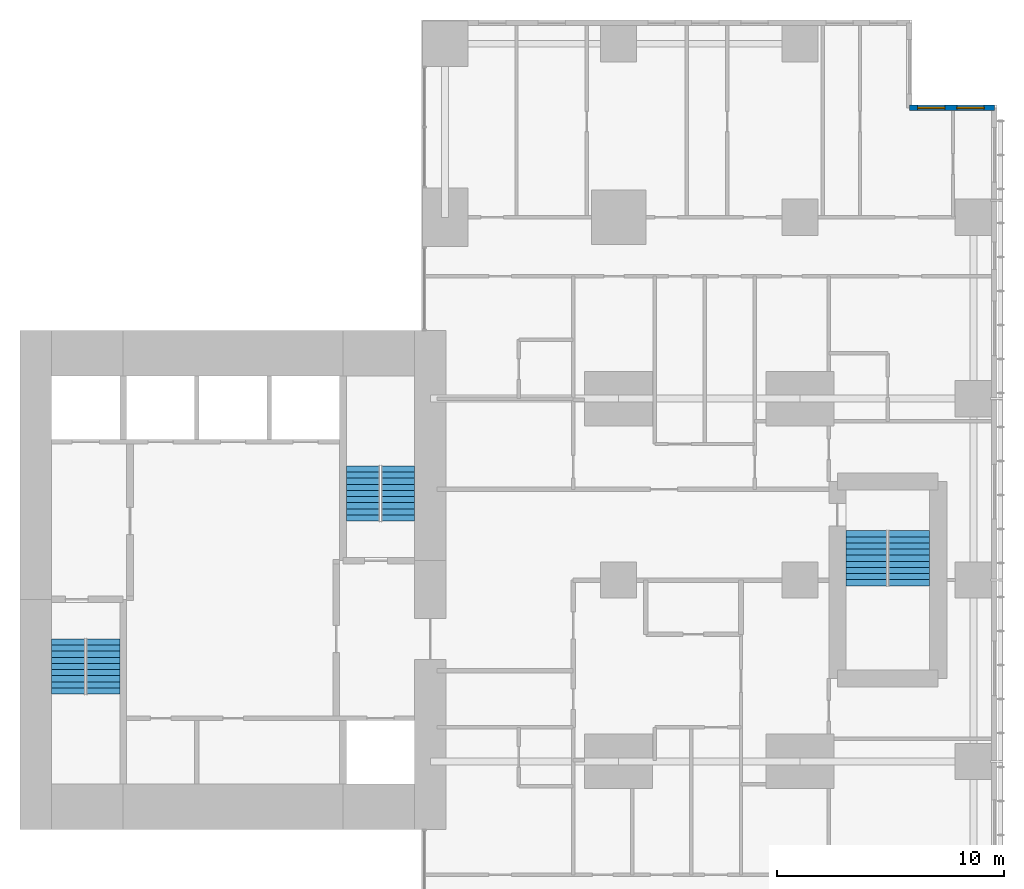
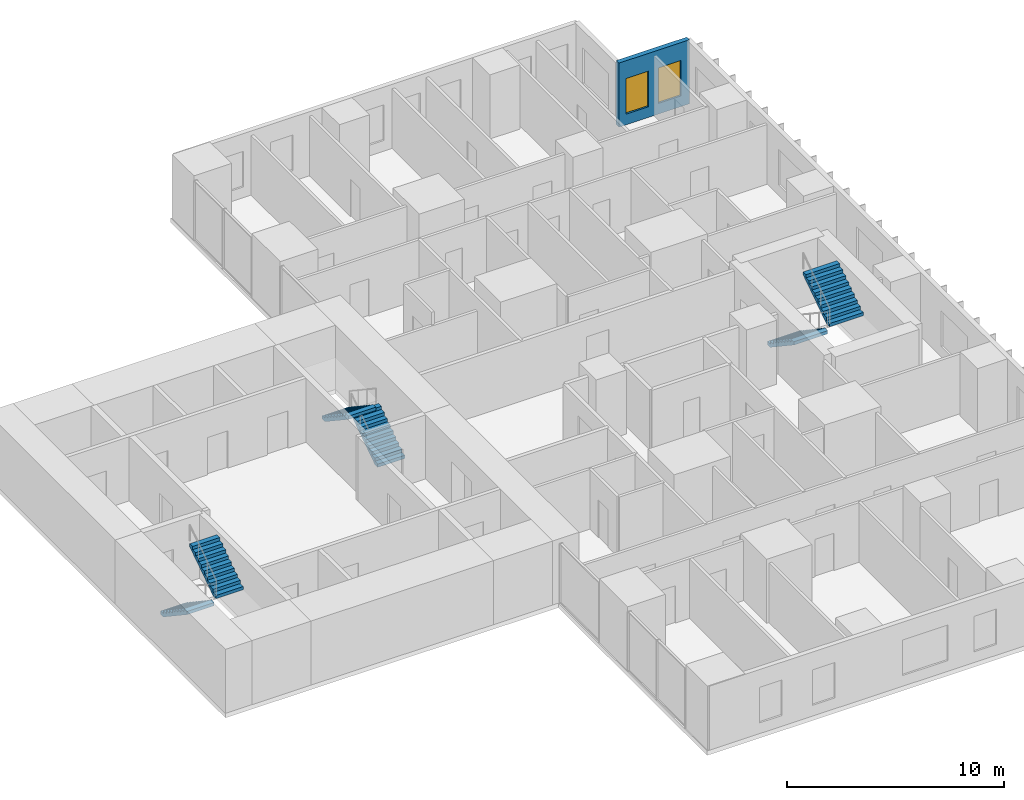
# One storey, part 11 of 12: 6 stair flights, 2 windows, 1 wall, 2 openings, 3 elements without a shape of their own.
"""IFC4 building model written with IfcOpenShell, lengths in metres."""

import ifcopenshell
import ifcopenshell.guid

model = None  # the IFC model being written
_history = None  # IfcOwnerHistory: only IFC2X3 demands one
_inside = {}  # id of a spatial element -> (the spatial element, [elements in it])
_under = {}  # id of a project, library or spatial element -> (it, [spatial elements below it])
_declared = {}  # id of a project -> (the project, [libraries it declares])
_typed = {}  # id of a type object -> (the type object, [elements of that type])
_made_of = {}  # id of a material, layer set ... -> (it, [elements and type objects made of it])


def new_model(schema):
    """Start an empty IFC model of exactly this schema.

    Asked for "IFC4X3", IfcOpenShell would pick the latest addendum, in which some entities
    have other attributes; the version numbers below select the first issue.
    IFC2X3 requires an IfcOwnerHistory on every rooted entity: one is made here for all.
    """
    global model, _history
    if schema == "IFC4X3":
        model = ifcopenshell.file(schema_version=(4, 3, 0, 0))
    else:
        model = ifcopenshell.file(schema=schema)
    _inside.clear()
    _under.clear()
    _declared.clear()
    _typed.clear()
    _made_of.clear()
    _history = None
    if model.schema == "IFC2X3":
        org = make("IfcOrganization", Name="unknown")
        user = make(
            "IfcPersonAndOrganization",
            ThePerson=make("IfcPerson", FamilyName="unknown"),
            TheOrganization=org,
        )
        app = make(
            "IfcApplication",
            ApplicationDeveloper=org,
            Version="unknown",
            ApplicationFullName="unknown",
            ApplicationIdentifier="unknown",
        )
        _history = make(
            "IfcOwnerHistory",
            OwningUser=user,
            OwningApplication=app,
            ChangeAction="ADDED",
            CreationDate=0,
        )
    return model


def make(cls, **values):
    """One entity of the class cls with the attributes given. An attribute that is None is left unset."""
    return model.create_entity(
        cls, **{name: value for name, value in values.items() if value is not None}
    )


def rooted(cls, **values):
    """An entity with a GlobalId (a new one), such as an element, a storey or a relation."""
    return make(cls, GlobalId=ifcopenshell.guid.new(), OwnerHistory=_history, **values)


def si_unit(unit_type, name, prefix=None):
    """IfcSIUnit, for example si_unit("LENGTHUNIT", "METRE", prefix="MILLI")."""
    return make("IfcSIUnit", UnitType=unit_type, Prefix=prefix, Name=name)


def assignment(units):
    """IfcUnitAssignment: the units of a project."""
    return None if units is None else make("IfcUnitAssignment", Units=units)


def point(xyz):
    """IfcCartesianPoint."""
    return None if xyz is None else make("IfcCartesianPoint", Coordinates=xyz)


def direction(xyz):
    """IfcDirection."""
    return None if xyz is None else make("IfcDirection", DirectionRatios=xyz)


def frame(location, z_axis=None, x_axis=None):
    """IfcAxis2Placement3D, a coordinate frame: its origin and axes. An axis left out is left unset."""
    return make(
        "IfcAxis2Placement3D",
        Location=point(location),
        Axis=direction(z_axis),
        RefDirection=direction(x_axis),
    )


def frame_2d(location, x_axis=None):
    """IfcAxis2Placement2D, a coordinate frame in the plane: its origin and x axis."""
    return make(
        "IfcAxis2Placement2D", Location=point(location), RefDirection=direction(x_axis)
    )


def origin():
    """The frame at (0, 0, 0) with its axes left unset."""
    return frame((0.0, 0.0, 0.0))


def place(relative_to, where):
    """IfcLocalPlacement: puts the frame where relative to a parent placement (None: the world)."""
    return make(
        "IfcLocalPlacement", PlacementRelTo=relative_to, RelativePlacement=where
    )


def context(
    kind, dimensions, precision=None, world=None, true_north=None, identifier=None
):
    """IfcGeometricRepresentationContext, for example the 3D "Model" context."""
    return make(
        "IfcGeometricRepresentationContext",
        ContextIdentifier=identifier,
        ContextType=kind,
        CoordinateSpaceDimension=dimensions,
        Precision=precision,
        WorldCoordinateSystem=world,
        TrueNorth=true_north,
    )


def subcontext(parent, identifier, kind, view, scale=None):
    """IfcGeometricRepresentationSubContext, for example "Body" below "Model"."""
    return make(
        "IfcGeometricRepresentationSubContext",
        ContextIdentifier=identifier,
        ContextType=kind,
        ParentContext=parent,
        TargetScale=scale,
        TargetView=view,
    )


def project(units=None, contexts=None):
    """IfcProject with its units and contexts."""
    return rooted(
        "IfcProject",
        Name="project",
        RepresentationContexts=contexts,
        UnitsInContext=assignment(units),
    )


def spatial(cls, under=None, at=None, **own):
    """A site, building, storey or space (cls), placed at a placement, below another one or the project."""
    s = rooted(cls, ObjectPlacement=at, **own)
    if under is not None:
        _under.setdefault(under.id(), (under, []))[1].append(s)
    return s


def polyline(points):
    """IfcPolyline through the points."""
    return make("IfcPolyline", Points=[point(p) for p in points])


def profile(cls, at=None, kind="AREA", **sizes):
    """A parametric profile (cls). Its sizes go by their IFC names, for example OverallWidth=200.0."""
    return make(cls, ProfileType=kind, Position=at, **sizes)


def rectangle(**sizes):
    """IfcRectangleProfileDef."""
    return profile("IfcRectangleProfileDef", **sizes)


def outline(outer, holes=None, kind="AREA"):
    """IfcArbitraryClosedProfileDef: a profile drawn as a closed curve; with holes, ...WithVoids."""
    if holes is None:
        return make("IfcArbitraryClosedProfileDef", ProfileType=kind, OuterCurve=outer)
    return make(
        "IfcArbitraryProfileDefWithVoids",
        ProfileType=kind,
        OuterCurve=outer,
        InnerCurves=holes,
    )


def extrude(swept, where, along, depth):
    """IfcExtrudedAreaSolid: the profile swept, set in the frame where, extruded along a direction by depth."""
    return make(
        "IfcExtrudedAreaSolid",
        SweptArea=swept,
        Position=where,
        ExtrudedDirection=direction(along),
        Depth=depth,
    )


def shape(context_of_items, identifier, shape_type, items):
    """IfcShapeRepresentation: the items that make up one representation, for example the "Body"."""
    return make(
        "IfcShapeRepresentation",
        ContextOfItems=context_of_items,
        RepresentationIdentifier=identifier,
        RepresentationType=shape_type,
        Items=items,
    )


def material(Name=None, Category=None):
    """IfcMaterial."""
    return make("IfcMaterial", Name=Name, Category=Category)


def layer(
    of_material, thickness, ventilated=None, Name=None, Category=None, Priority=None
):
    """IfcMaterialLayer: one layer of a wall or slab, of a material (None: an air gap)."""
    return make(
        "IfcMaterialLayer",
        Material=of_material,
        LayerThickness=thickness,
        IsVentilated=ventilated,
        Name=Name,
        Category=Category,
        Priority=Priority,
    )


def layer_set(layers, Name=None):
    """IfcMaterialLayerSet."""
    return make("IfcMaterialLayerSet", MaterialLayers=layers, LayerSetName=Name)


def made_of(thing, what):
    """Note that an element or type object is made of a material, layer set ...; save() writes the relation."""
    if what is not None:
        _made_of.setdefault(what.id(), (what, []))[1].append(thing)
    return thing


def type_object(cls, material=None, **own):
    """A type object (cls), such as IfcWallType, which elements share."""
    return made_of(rooted(cls, **own), material)


def element(
    cls,
    number,
    at=None,
    inside=None,
    cuts=None,
    type_object=None,
    material=None,
    context=None,
    identifier="Body",
    shape_type=None,
    held_by="IfcProductDefinitionShape",
    body=None,
    shapes=None,
    **own,
):
    """One element of the class cls, such as IfcWall. Its Tag is "e" and its number.

    at: its placement. inside: the storey or other place that contains it. cuts: it is an
    opening in that element (IfcRelVoidsElement). A single representation is given by context,
    identifier, shape_type and body (its items); several are given by shapes. held_by: the class
    of the entity that holds the representations. save() writes the other relations.
    """
    e = rooted(cls, Tag="e%d" % number, ObjectPlacement=at, **own)
    if body is not None:
        shapes = [shape(context, identifier, shape_type, body)]
    if shapes is not None:
        e.Representation = make(held_by, Representations=shapes)
    if inside is not None:
        _inside.setdefault(inside.id(), (inside, []))[1].append(e)
    if cuts is not None:
        rooted(
            "IfcRelVoidsElement", RelatingBuildingElement=cuts, RelatedOpeningElement=e
        )
    if type_object is not None:
        _typed.setdefault(type_object.id(), (type_object, []))[1].append(e)
    return made_of(e, material)


def fill(opening, filler):
    """IfcRelFillsElement: the door or window that sits in an opening."""
    return rooted(
        "IfcRelFillsElement",
        RelatingOpeningElement=opening,
        RelatedBuildingElement=filler,
    )


def aggregate(whole, parts):
    """IfcRelAggregates: a whole, such as a stair, and the parts it consists of."""
    return rooted("IfcRelAggregates", RelatingObject=whole, RelatedObjects=parts)


def save(model, path):
    """Write the relations noted so far, then the file.

    IfcRelAggregates (storeys below a building ...), IfcRelContainedInSpatialStructure (elements
    in a storey), IfcRelDefinesByType, IfcRelAssociatesMaterial and IfcRelDeclares: one each for
    every whole, place, type object, material and project.
    """
    for whole, parts in _under.values():
        aggregate(whole, parts)
    for where, things in _inside.values():
        rooted(
            "IfcRelContainedInSpatialStructure",
            RelatedElements=things,
            RelatingStructure=where,
        )
    for kind, things in _typed.values():
        rooted("IfcRelDefinesByType", RelatedObjects=things, RelatingType=kind)
    for what, things in _made_of.values():
        rooted("IfcRelAssociatesMaterial", RelatedObjects=things, RelatingMaterial=what)
    for by, libraries in _declared.values():
        rooted("IfcRelDeclares", RelatingContext=by, RelatedDefinitions=libraries)
    model.write(path)


model = new_model("IFC4")

# Units and contexts
model_context = context("Model", 3, precision=1e-05, world=origin(), true_north=direction((0.0, 1.0)))
body_context = subcontext(model_context, "Body", "Model", "MODEL_VIEW")
ifc_project = project(units=[si_unit("LENGTHUNIT", "METRE"), si_unit("AREAUNIT", "SQUARE_METRE"), si_unit("VOLUMEUNIT", "CUBIC_METRE"), si_unit("PLANEANGLEUNIT", "RADIAN"), si_unit("MASSUNIT", "GRAM", prefix="KILO")], contexts=[model_context])

# Site, building, storey
site_placement = place(None, origin())
site = spatial("IfcSite", under=ifc_project, at=site_placement, CompositionType="ELEMENT")
building_placement = place(site_placement, origin())
building = spatial("IfcBuilding", under=site, at=building_placement, Name="Cleftline Residences", CompositionType="ELEMENT")
storey_placement = place(building_placement, frame((0.0, 0.0, 237.60009765625)))
storey = spatial("IfcBuildingStorey", under=building, at=storey_placement, Name="L62", CompositionType="ELEMENT", Elevation=237.60009765625)

# Wall, openings, windows
ifc_material_1 = material(Name="Rendered reinforced concrete blockwork", Category="masonry")
ifc_layer = layer(ifc_material_1, 0.25)
ifc_layer_set = layer_set([ifc_layer], Name="EXTERNAL WALL 250")
wall_type = type_object("IfcWallType", Name="EXTERNAL WALL 250", PredefinedType="SOLIDWALL", material=ifc_layer_set)
wall_placement = place(storey_placement, frame((66.574951171875, 44.824951171875, 0.0), z_axis=(0.0, 0.0, 1.0), x_axis=(-1.0, 0.0, 0.0)))
wall = element("IfcWall", 1, at=wall_placement, inside=storey, type_object=wall_type, Name="External wall", PredefinedType="SOLIDWALL", context=body_context, shape_type="SweptSolid", body=[
    extrude(rectangle(XDim=3.75, YDim=0.25, at=frame_2d((1.875, 0.0))), origin(), (0.0, 0.0, 1.0), 3.599853515625),
])
opening_1_placement = place(wall_placement, frame((0.449951171875, 0.0, 0.60009765625)))
opening_1 = element("IfcOpeningElement", 2, at=opening_1_placement, cuts=wall, Name="Opening W8", PredefinedType="OPENING", context=body_context, shape_type="SweptSolid", body=[
    extrude(rectangle(XDim=1.199951171875, YDim=2.0, at=frame_2d((0.60009765625, 1.0))), frame((0.0, 0.135009765625, 0.0), z_axis=(0.0, -1.0, 0.0), x_axis=(1.0, 0.0, 0.0)), (0.0, 0.0, 1.0), 0.27001953125),
])
opening_2_placement = place(wall_placement, frame((2.1875, 0.0, 0.60009765625)))
opening_2 = element("IfcOpeningElement", 3, at=opening_2_placement, cuts=wall, Name="Opening W8", PredefinedType="OPENING", context=body_context, shape_type="SweptSolid", body=[
    extrude(rectangle(XDim=1.199951171875, YDim=2.0, at=frame_2d((0.60009765625, 1.0))), frame((0.0, 0.135009765625, 0.0), z_axis=(0.0, -1.0, 0.0), x_axis=(1.0, 0.0, 0.0)), (0.0, 0.0, 1.0), 0.27001953125),
])
ifc_material_2 = material(Name="Aluminium frame, clear double glazing", Category="aluminium")
window_type = type_object("IfcWindowType", Name="WINDOW 1200X2000", PartitioningType="DOUBLE_PANEL_VERTICAL", PredefinedType="WINDOW", material=ifc_material_2)
window_1_placement = place(opening_1_placement, origin())
window_1 = element("IfcWindow", 4, at=window_1_placement, inside=storey, type_object=window_type, Name="Window", OverallHeight=2.0, OverallWidth=1.199951171875, PartitioningType="SINGLE_PANEL", PredefinedType="WINDOW", context=body_context, shape_type="SweptSolid", body=[
    extrude(rectangle(XDim=1.199951171875, YDim=2.0, at=frame_2d((0.60009765625, 1.0))), frame((0.0, 0.030029296875, 0.0), z_axis=(0.0, -1.0, 0.0), x_axis=(1.0, 0.0, 0.0)), (0.0, 0.0, 1.0), 0.06005859375),
])
fill(opening_1, window_1)
window_2_placement = place(opening_2_placement, origin())
window_2 = element("IfcWindow", 5, at=window_2_placement, inside=storey, type_object=window_type, Name="Window", OverallHeight=2.0, OverallWidth=1.199951171875, PartitioningType="SINGLE_PANEL", PredefinedType="WINDOW", context=body_context, shape_type="SweptSolid", body=[
    extrude(rectangle(XDim=1.199951171875, YDim=2.0, at=frame_2d((0.60009765625, 1.0))), frame((0.0, 0.030029296875, 0.0), z_axis=(0.0, -1.0, 0.0), x_axis=(1.0, 0.0, 0.0)), (0.0, 0.0, 1.0), 0.06005859375),
])
fill(opening_2, window_2)

# Stair, stair flights
ifc_material_3 = material(Name="Concrete B45, stone treads", Category="masonry")
stair_type_1 = type_object("IfcStairType", Name="STAIR A 1450 WIDE 180 RISER", PredefinedType="HALF_TURN_STAIR", material=ifc_material_3)
stair_1_placement = place(storey_placement, origin())
stair_1 = element("IfcStair", 6, at=stair_1_placement, inside=storey, type_object=stair_type_1, Name="Stair A L62", PredefinedType="HALF_TURN_STAIR")
ifc_material_4 = material(Name="Concrete B45", Category="concrete")
stair_flight_type_1 = type_object("IfcStairFlightType", Name="STAIR A FLIGHT 1450X180", PredefinedType="STRAIGHT", material=ifc_material_4)
stair_flight_1_placement = place(storey_placement, frame((25.72509765625, 21.39990234375, 0.0), z_axis=(0.0, 0.0, 1.0), x_axis=(0.0, -1.0, 0.0)))
stair_flight_1 = element("IfcStairFlight", 7, at=stair_flight_1_placement, type_object=stair_flight_type_1, Name="ST-A flight 1", NumberOfRisers=10, NumberOfTreads=9, PredefinedType="STRAIGHT", RiserHeight=0.18, TreadLength=0.27, context=body_context, shape_type="SweptSolid", body=[
    extrude(outline(polyline([(0.0, 0.0), (0.0, 0.013916015625), (0.0, 0.027587890625), (0.0, 0.04150390625), (0.0, 0.055419921875), (0.0, 0.0693359375), (0.0, 0.0830078125), (0.0, 0.096923828125), (0.0, 0.11083984375), (0.0, 0.12451171875), (0.0, 0.138427734375), (0.0, 0.15234375), (0.0, 0.166259765625), (0.0, 0.179931640625), (0.27001953125, 0.179931640625), (0.27001953125, 0.360107421875), (0.5400390625, 0.360107421875), (0.5400390625, 0.5400390625), (0.81005859375, 0.5400390625), (0.81005859375, 0.719970703125), (1.080078125, 0.719970703125), (1.080078125, 0.89990234375), (1.35009765625, 0.89990234375), (1.35009765625, 1.080078125), (1.6201171875, 1.080078125), (1.6201171875, 1.260009765625), (1.889892578125, 1.260009765625), (1.889892578125, 1.43994140625), (2.159912109375, 1.43994140625), (2.159912109375, 1.6201171875), (2.429931640625, 1.6201171875), (2.429931640625, 1.800048828125), (2.429931640625, 1.772216796875), (2.429931640625, 1.74462890625), (2.429931640625, 1.716796875), (2.429931640625, 1.689208984375), (2.429931640625, 1.661376953125), (2.429931640625, 1.6337890625), (2.429931640625, 1.60595703125), (2.429931640625, 1.578369140625), (2.429931640625, 1.550537109375), (2.429931640625, 1.52294921875), (2.429931640625, 1.495361328125), (2.429931640625, 1.467529296875), (2.429931640625, 1.43994140625), (0.270263671875, 0.0), (0.0, 0.0)])), frame((0.0, 0.72509765625, 0.0), z_axis=(0.0, -1.0, 0.0), x_axis=(1.0, 0.0, 0.0)), (0.0, 0.0, 1.0), 1.449951171875),
])
stair_flight_2_placement = place(storey_placement, frame((27.27490234375, 18.969970703125, 1.7998046875), z_axis=(0.0, 0.0, 1.0), x_axis=(0.0, 1.0, 0.0)))
stair_flight_2 = element("IfcStairFlight", 8, at=stair_flight_2_placement, type_object=stair_flight_type_1, Name="ST-A flight 2", NumberOfRisers=10, NumberOfTreads=9, PredefinedType="STRAIGHT", RiserHeight=0.18, TreadLength=0.27, context=body_context, shape_type="SweptSolid", body=[
    extrude(outline(polyline([(0.0, 0.0), (0.0, 0.013916015625), (0.0, 0.027587890625), (0.0, 0.04150390625), (0.0, 0.055419921875), (0.0, 0.0693359375), (0.0, 0.0830078125), (0.0, 0.096923828125), (0.0, 0.11083984375), (0.0, 0.12451171875), (0.0, 0.138427734375), (0.0, 0.15234375), (0.0, 0.166259765625), (0.0, 0.179931640625), (0.27001953125, 0.179931640625), (0.27001953125, 0.360107421875), (0.5400390625, 0.360107421875), (0.5400390625, 0.5400390625), (0.81005859375, 0.5400390625), (0.81005859375, 0.719970703125), (1.080078125, 0.719970703125), (1.080078125, 0.89990234375), (1.35009765625, 0.89990234375), (1.35009765625, 1.080078125), (1.6201171875, 1.080078125), (1.6201171875, 1.260009765625), (1.889892578125, 1.260009765625), (1.889892578125, 1.43994140625), (2.159912109375, 1.43994140625), (2.159912109375, 1.6201171875), (2.429931640625, 1.6201171875), (2.429931640625, 1.800048828125), (2.429931640625, 1.772216796875), (2.429931640625, 1.74462890625), (2.429931640625, 1.716796875), (2.429931640625, 1.689208984375), (2.429931640625, 1.661376953125), (2.429931640625, 1.6337890625), (2.429931640625, 1.60595703125), (2.429931640625, 1.578369140625), (2.429931640625, 1.550537109375), (2.429931640625, 1.52294921875), (2.429931640625, 1.495361328125), (2.429931640625, 1.467529296875), (2.429931640625, 1.43994140625), (0.270263671875, 0.0), (0.0, 0.0)])), frame((0.0, 0.72509765625, 0.0), z_axis=(0.0, -1.0, 0.0), x_axis=(1.0, 0.0, 0.0)), (0.0, 0.0, 1.0), 1.449951171875),
])
aggregate(stair_1, [stair_flight_1, stair_flight_2])

ifc_material_5 = material(Name="Concrete B45, stone treads", Category="masonry")
stair_type_2 = type_object("IfcStairType", Name="STAIR B 1450 WIDE 180 RISER", PredefinedType="HALF_TURN_STAIR", material=ifc_material_5)
stair_2_placement = place(storey_placement, origin())
stair_2 = element("IfcStair", 9, at=stair_2_placement, inside=storey, type_object=stair_type_2, Name="Stair B L62", PredefinedType="HALF_TURN_STAIR")
ifc_material_6 = material(Name="Concrete B45", Category="concrete")
stair_flight_type_2 = type_object("IfcStairFlightType", Name="STAIR B FLIGHT 1450X180", PredefinedType="STRAIGHT", material=ifc_material_6)
stair_flight_3_placement = place(storey_placement, frame((40.27490234375, 26.60009765625, 0.0), z_axis=(0.0, 0.0, 1.0), x_axis=(0.0, 1.0, 0.0)))
stair_flight_3 = element("IfcStairFlight", 10, at=stair_flight_3_placement, type_object=stair_flight_type_2, Name="ST-B flight 1", NumberOfRisers=10, NumberOfTreads=9, PredefinedType="STRAIGHT", RiserHeight=0.18, TreadLength=0.27, context=body_context, shape_type="SweptSolid", body=[
    extrude(outline(polyline([(0.0, 0.0), (0.0, 0.013916015625), (0.0, 0.027587890625), (0.0, 0.04150390625), (0.0, 0.055419921875), (0.0, 0.0693359375), (0.0, 0.0830078125), (0.0, 0.096923828125), (0.0, 0.11083984375), (0.0, 0.12451171875), (0.0, 0.138427734375), (0.0, 0.15234375), (0.0, 0.166259765625), (0.0, 0.179931640625), (0.27001953125, 0.179931640625), (0.27001953125, 0.360107421875), (0.5400390625, 0.360107421875), (0.5400390625, 0.5400390625), (0.81005859375, 0.5400390625), (0.81005859375, 0.719970703125), (1.080078125, 0.719970703125), (1.080078125, 0.89990234375), (1.35009765625, 0.89990234375), (1.35009765625, 1.080078125), (1.6201171875, 1.080078125), (1.6201171875, 1.260009765625), (1.889892578125, 1.260009765625), (1.889892578125, 1.43994140625), (2.159912109375, 1.43994140625), (2.159912109375, 1.6201171875), (2.429931640625, 1.6201171875), (2.429931640625, 1.800048828125), (2.429931640625, 1.772216796875), (2.429931640625, 1.74462890625), (2.429931640625, 1.716796875), (2.429931640625, 1.689208984375), (2.429931640625, 1.661376953125), (2.429931640625, 1.6337890625), (2.429931640625, 1.60595703125), (2.429931640625, 1.578369140625), (2.429931640625, 1.550537109375), (2.429931640625, 1.52294921875), (2.429931640625, 1.495361328125), (2.429931640625, 1.467529296875), (2.429931640625, 1.43994140625), (0.270263671875, 0.0), (0.0, 0.0)])), frame((0.0, 0.72509765625, 0.0), z_axis=(0.0, -1.0, 0.0), x_axis=(1.0, 0.0, 0.0)), (0.0, 0.0, 1.0), 1.449951171875),
])
stair_flight_4_placement = place(storey_placement, frame((38.72509765625, 29.030029296875, 1.7998046875), z_axis=(0.0, 0.0, 1.0), x_axis=(0.0, -1.0, 0.0)))
stair_flight_4 = element("IfcStairFlight", 11, at=stair_flight_4_placement, type_object=stair_flight_type_2, Name="ST-B flight 2", NumberOfRisers=10, NumberOfTreads=9, PredefinedType="STRAIGHT", RiserHeight=0.18, TreadLength=0.27, context=body_context, shape_type="SweptSolid", body=[
    extrude(outline(polyline([(0.0, 0.0), (0.0, 0.013916015625), (0.0, 0.027587890625), (0.0, 0.04150390625), (0.0, 0.055419921875), (0.0, 0.0693359375), (0.0, 0.0830078125), (0.0, 0.096923828125), (0.0, 0.11083984375), (0.0, 0.12451171875), (0.0, 0.138427734375), (0.0, 0.15234375), (0.0, 0.166259765625), (0.0, 0.179931640625), (0.27001953125, 0.179931640625), (0.27001953125, 0.360107421875), (0.5400390625, 0.360107421875), (0.5400390625, 0.5400390625), (0.81005859375, 0.5400390625), (0.81005859375, 0.719970703125), (1.080078125, 0.719970703125), (1.080078125, 0.89990234375), (1.35009765625, 0.89990234375), (1.35009765625, 1.080078125), (1.6201171875, 1.080078125), (1.6201171875, 1.260009765625), (1.889892578125, 1.260009765625), (1.889892578125, 1.43994140625), (2.159912109375, 1.43994140625), (2.159912109375, 1.6201171875), (2.429931640625, 1.6201171875), (2.429931640625, 1.800048828125), (2.429931640625, 1.772216796875), (2.429931640625, 1.74462890625), (2.429931640625, 1.716796875), (2.429931640625, 1.689208984375), (2.429931640625, 1.661376953125), (2.429931640625, 1.6337890625), (2.429931640625, 1.60595703125), (2.429931640625, 1.578369140625), (2.429931640625, 1.550537109375), (2.429931640625, 1.52294921875), (2.429931640625, 1.495361328125), (2.429931640625, 1.467529296875), (2.429931640625, 1.43994140625), (0.270263671875, 0.0), (0.0, 0.0)])), frame((0.0, 0.72509765625, 0.0), z_axis=(0.0, -1.0, 0.0), x_axis=(1.0, 0.0, 0.0)), (0.0, 0.0, 1.0), 1.449951171875),
])
aggregate(stair_2, [stair_flight_3, stair_flight_4])

ifc_material_7 = material(Name="Concrete B45, stone treads", Category="masonry")
stair_type_3 = type_object("IfcStairType", Name="STAIR E 1800 WIDE 180 RISER", PredefinedType="HALF_TURN_STAIR", material=ifc_material_7)
stair_3_placement = place(storey_placement, origin())
stair_3 = element("IfcStair", 12, at=stair_3_placement, inside=storey, type_object=stair_type_3, Name="Stair E L62", PredefinedType="HALF_TURN_STAIR")
ifc_material_8 = material(Name="Concrete B45", Category="concrete")
stair_flight_type_3 = type_object("IfcStairFlightType", Name="STAIR E FLIGHT 1800X180", PredefinedType="STRAIGHT", material=ifc_material_8)
stair_flight_5_placement = place(storey_placement, frame((60.925048828125, 26.175048828125, 0.0), z_axis=(0.0, 0.0, 1.0), x_axis=(0.0, -1.0, 0.0)))
stair_flight_5 = element("IfcStairFlight", 13, at=stair_flight_5_placement, type_object=stair_flight_type_3, Name="ST-E flight 1", NumberOfRisers=10, NumberOfTreads=9, PredefinedType="STRAIGHT", RiserHeight=0.18, TreadLength=0.27, context=body_context, shape_type="SweptSolid", body=[
    extrude(outline(polyline([(0.0, 0.0), (0.0, 0.013916015625), (0.0, 0.027587890625), (0.0, 0.04150390625), (0.0, 0.055419921875), (0.0, 0.0693359375), (0.0, 0.0830078125), (0.0, 0.096923828125), (0.0, 0.11083984375), (0.0, 0.12451171875), (0.0, 0.138427734375), (0.0, 0.15234375), (0.0, 0.166259765625), (0.0, 0.179931640625), (0.27001953125, 0.179931640625), (0.27001953125, 0.360107421875), (0.5400390625, 0.360107421875), (0.5400390625, 0.5400390625), (0.81005859375, 0.5400390625), (0.81005859375, 0.719970703125), (1.080078125, 0.719970703125), (1.080078125, 0.89990234375), (1.35009765625, 0.89990234375), (1.35009765625, 1.080078125), (1.6201171875, 1.080078125), (1.6201171875, 1.260009765625), (1.889892578125, 1.260009765625), (1.889892578125, 1.43994140625), (2.159912109375, 1.43994140625), (2.159912109375, 1.6201171875), (2.429931640625, 1.6201171875), (2.429931640625, 1.800048828125), (2.429931640625, 1.772216796875), (2.429931640625, 1.74462890625), (2.429931640625, 1.716796875), (2.429931640625, 1.689208984375), (2.429931640625, 1.661376953125), (2.429931640625, 1.6337890625), (2.429931640625, 1.60595703125), (2.429931640625, 1.578369140625), (2.429931640625, 1.550537109375), (2.429931640625, 1.52294921875), (2.429931640625, 1.495361328125), (2.429931640625, 1.467529296875), (2.429931640625, 1.43994140625), (0.270263671875, 0.0), (0.0, 0.0)])), frame((0.0, 0.89990234375, 0.0), z_axis=(0.0, -1.0, 0.0), x_axis=(1.0, 0.0, 0.0)), (0.0, 0.0, 1.0), 1.800048828125),
])
stair_flight_6_placement = place(storey_placement, frame((62.824951171875, 23.7451171875, 1.7998046875), z_axis=(0.0, 0.0, 1.0), x_axis=(0.0, 1.0, 0.0)))
stair_flight_6 = element("IfcStairFlight", 14, at=stair_flight_6_placement, type_object=stair_flight_type_3, Name="ST-E flight 2", NumberOfRisers=10, NumberOfTreads=9, PredefinedType="STRAIGHT", RiserHeight=0.18, TreadLength=0.27, context=body_context, shape_type="SweptSolid", body=[
    extrude(outline(polyline([(0.0, 0.0), (0.0, 0.013916015625), (0.0, 0.027587890625), (0.0, 0.04150390625), (0.0, 0.055419921875), (0.0, 0.0693359375), (0.0, 0.0830078125), (0.0, 0.096923828125), (0.0, 0.11083984375), (0.0, 0.12451171875), (0.0, 0.138427734375), (0.0, 0.15234375), (0.0, 0.166259765625), (0.0, 0.179931640625), (0.27001953125, 0.179931640625), (0.27001953125, 0.360107421875), (0.5400390625, 0.360107421875), (0.5400390625, 0.5400390625), (0.81005859375, 0.5400390625), (0.81005859375, 0.719970703125), (1.080078125, 0.719970703125), (1.080078125, 0.89990234375), (1.35009765625, 0.89990234375), (1.35009765625, 1.080078125), (1.6201171875, 1.080078125), (1.6201171875, 1.260009765625), (1.889892578125, 1.260009765625), (1.889892578125, 1.43994140625), (2.159912109375, 1.43994140625), (2.159912109375, 1.6201171875), (2.429931640625, 1.6201171875), (2.429931640625, 1.800048828125), (2.429931640625, 1.772216796875), (2.429931640625, 1.74462890625), (2.429931640625, 1.716796875), (2.429931640625, 1.689208984375), (2.429931640625, 1.661376953125), (2.429931640625, 1.6337890625), (2.429931640625, 1.60595703125), (2.429931640625, 1.578369140625), (2.429931640625, 1.550537109375), (2.429931640625, 1.52294921875), (2.429931640625, 1.495361328125), (2.429931640625, 1.467529296875), (2.429931640625, 1.43994140625), (0.270263671875, 0.0), (0.0, 0.0)])), frame((0.0, 0.89990234375, 0.0), z_axis=(0.0, -1.0, 0.0), x_axis=(1.0, 0.0, 0.0)), (0.0, 0.0, 1.0), 1.800048828125),
])
aggregate(stair_3, [stair_flight_5, stair_flight_6])

save(model, "model.ifc")
